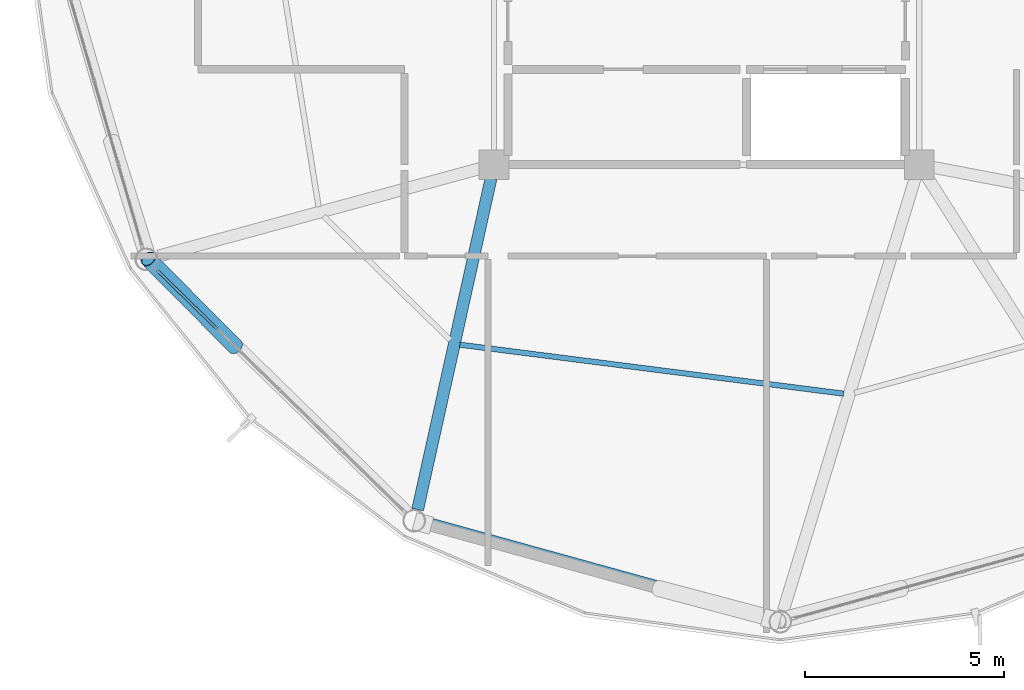
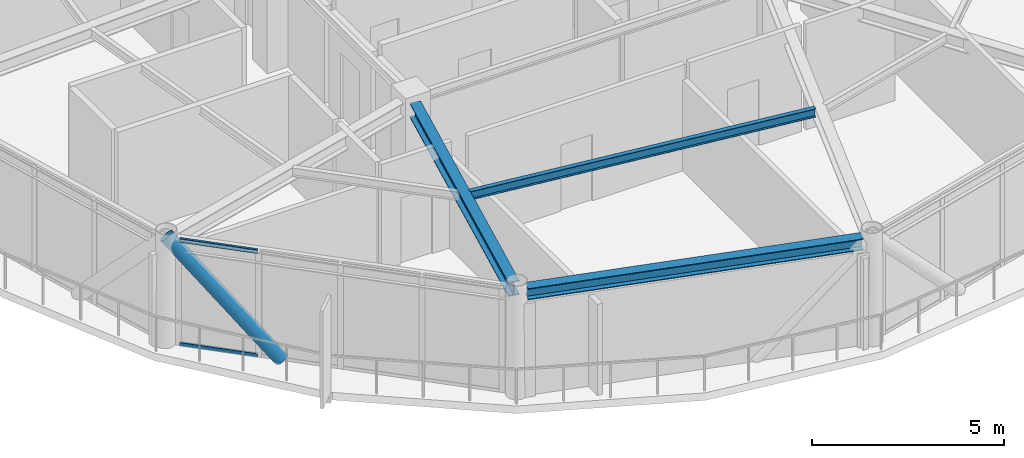
# One storey, part 3 of 27: 3 beams, 3 members, 1 element without a shape of its own.
"""IFC4 building model written with IfcOpenShell, lengths in metres."""

from ifc_helpers import new_model, si_unit, direction, frame, origin, origin_2d, place, context, subcontext, project, spatial, hollow_rectangle, hollow_circle, i_section, extrude, material, layer, layer_set, material_profile, profile_set, type_object, element, aggregate, save


model = new_model("IFC4")

# Units and contexts
model_context = context("Model", 3, precision=1e-05, world=origin(), true_north=direction((0.0, 1.0)))
body_context = subcontext(model_context, "Body", "Model", "MODEL_VIEW")
ifc_project = project(units=[si_unit("LENGTHUNIT", "METRE"), si_unit("AREAUNIT", "SQUARE_METRE"), si_unit("VOLUMEUNIT", "CUBIC_METRE"), si_unit("PLANEANGLEUNIT", "RADIAN"), si_unit("MASSUNIT", "GRAM", prefix="KILO")], contexts=[model_context])

# Site, building, storey
site_placement = place(None, origin())
site = spatial("IfcSite", under=ifc_project, at=site_placement, CompositionType="ELEMENT")
building_placement = place(site_placement, origin())
building = spatial("IfcBuilding", under=site, at=building_placement, Name="Varnakorn Sky Granary", CompositionType="ELEMENT")
storey_placement = place(building_placement, frame((0.0, 0.0, 245.39990234375)))
storey = spatial("IfcBuildingStorey", under=building, at=storey_placement, Name="L62", CompositionType="ELEMENT", Elevation=245.39990234375)

# Beams
ifc_material_1 = material(Name="Steel S355JR", Category="steel")
ifc_material_profile_1 = material_profile(ifc_material_1, i_section(OverallWidth=0.300048828125, OverallDepth=0.449951171875, WebThickness=0.013916015625, FlangeThickness=0.02587890625, at=origin_2d()), Name="HE 450 B")
ifc_profile_set_1 = profile_set([ifc_material_profile_1], Name="Steel S355JR")
beam_type_1 = type_object("IfcBeamType", Name="BM-RAD-Z5", PredefinedType="BEAM", material=ifc_profile_set_1)
beam_1_placement = place(storey_placement, frame((-2.4267578125, -6.946533203125, 3.135009765625), z_axis=(-0.216351740192, -0.976315484111, 0.0), x_axis=(0.976315484111, -0.216351740192, 0.0)))
element("IfcBeam", 1, at=beam_1_placement, inside=storey, type_object=beam_type_1, Name="Radial Floor Girder RG09 L62", PredefinedType="BEAM", context=body_context, shape_type="SweptSolid", body=[
    extrude(i_section(OverallWidth=0.300048828125, OverallDepth=0.449951171875, WebThickness=0.013916015625, FlangeThickness=0.02587890625, at=origin_2d()), origin(), (0.0, 0.0, 1.0), 8.5322265625),
])
ifc_material_profile_2 = material_profile(ifc_material_1, i_section(OverallWidth=0.135009765625, OverallDepth=0.27001953125, WebThickness=0.006591796875, FlangeThickness=0.01025390625, at=origin_2d()), Name="IPE 270")
ifc_profile_set_2 = profile_set([ifc_material_profile_2], Name="Steel S355JR")
beam_type_2 = type_object("IfcBeamType", Name="BM-SEC-Z5", PredefinedType="BEAM", material=ifc_profile_set_2)
beam_2_placement = place(storey_placement, frame((-3.2109375, -11.12939453125, 3.22509765625), z_axis=(0.991954804549, -0.126592518468, 0.0), x_axis=(0.126592518468, 0.991954804549, 0.0)))
element("IfcBeam", 2, at=beam_2_placement, inside=storey, type_object=beam_type_2, Name="Secondary Floor Chord Beam MSB09 L62", PredefinedType="BEAM", context=body_context, shape_type="SweptSolid", body=[
    extrude(i_section(OverallWidth=0.135009765625, OverallDepth=0.27001953125, WebThickness=0.006591796875, FlangeThickness=0.01025390625, at=origin_2d()), origin(), (0.0, 0.0, 1.0), 9.7373046875),
])
ifc_material_profile_3 = material_profile(ifc_material_1, i_section(OverallWidth=0.300048828125, OverallDepth=0.360107421875, WebThickness=0.012451171875, FlangeThickness=0.0224609375, at=origin_2d()), Name="HE 360 B")
ifc_profile_set_3 = profile_set([ifc_material_profile_3], Name="Steel S355JR")
beam_type_3 = type_object("IfcBeamType", Name="BM-SPD-Z5", PredefinedType="SPANDREL", material=ifc_profile_set_3)
beam_3_placement = place(storey_placement, frame((-4.0751953125, -15.605224609375, 3.18017578125), z_axis=(0.963839156231, -0.266484672947, 0.0), x_axis=(0.266484672947, 0.963839156231, 0.0)))
element("IfcBeam", 3, at=beam_3_placement, inside=storey, type_object=beam_type_3, Name="Perimeter Spandrel Ring Beam RB09 L62", PredefinedType="SPANDREL", context=body_context, shape_type="SweptSolid", body=[
    extrude(i_section(OverallWidth=0.300048828125, OverallDepth=0.360107421875, WebThickness=0.012451171875, FlangeThickness=0.0224609375, at=origin_2d()), origin(), (0.0, 0.0, 1.0), 8.99560546875),
])

# Curtain wall, members
ifc_material_2 = material(Name="Anodised Bronze Aluminium Alloy 6063-T6", Category="aluminium")
ifc_layer = layer(ifc_material_2, 0.159912109375, Name="Anodised Bronze Aluminium Alloy 6063-T6")
ifc_layer_set = layer_set([ifc_layer], Name="Anodised Bronze Aluminium Alloy 6063-T6")
curtain_wall_type = type_object("IfcCurtainWallType", Name="CW-OFF-1", PredefinedType="USERDEFINED", material=ifc_layer_set)
curtain_wall_placement = place(storey_placement, origin())
curtain_wall = element("IfcCurtainWall", 4, at=curtain_wall_placement, inside=storey, type_object=curtain_wall_type, Name="Unitised Curtain Wall CW6 CW-L62-B08", ObjectType="CURTAIN WALL", PredefinedType="USERDEFINED")
ifc_material_profile_4 = material_profile(ifc_material_2, hollow_rectangle(XDim=0.06494140625, YDim=0.1201171875, WallThickness=0.00341796875, at=origin_2d()), Name="ALU TRAN 65x120")
ifc_profile_set_4 = profile_set([ifc_material_profile_4], Name="Anodised Bronze Aluminium Alloy 6063-T6")
member_type_1 = type_object("IfcMemberType", Name="CW-OFF-1-TRAN", PredefinedType="USERDEFINED", material=ifc_profile_set_4)
member_1_placement = place(storey_placement, frame((-9.324462890625, -10.725830078125, 0.03271484375), z_axis=(-0.715935858571, 0.698166059338, 0.0), x_axis=(-0.698166059338, -0.715935858571, 0.0)))
member_1 = element("IfcMember", 5, at=member_1_placement, type_object=member_type_1, Name="CW6 transom 4.1", ObjectType="TRANSOM", PredefinedType="USERDEFINED", context=body_context, shape_type="SweptSolid", body=[
    extrude(hollow_rectangle(XDim=0.06494140625, YDim=0.1201171875, WallThickness=0.00341796875, at=origin_2d()), origin(), (0.0, 0.0, 1.0), 2.08837890625),
])
member_2_placement = place(storey_placement, frame((-9.324462890625, -10.725830078125, 3.32763671875), z_axis=(-0.715935858571, 0.698166059338, 0.0), x_axis=(-0.698166059338, -0.715935858571, 0.0)))
member_2 = element("IfcMember", 6, at=member_2_placement, type_object=member_type_1, Name="CW6 transom 4.2", ObjectType="TRANSOM", PredefinedType="USERDEFINED", context=body_context, shape_type="SweptSolid", body=[
    extrude(hollow_rectangle(XDim=0.06494140625, YDim=0.1201171875, WallThickness=0.00341796875, at=origin_2d()), origin(), (0.0, 0.0, 1.0), 2.08837890625),
])
aggregate(curtain_wall, [member_1, member_2])

# Member
ifc_material_3 = material(Name="Steel S460M", Category="steel")
ifc_material_profile_5 = material_profile(ifc_material_3, hollow_circle(Radius=0.203125, WallThickness=0.01611328125, at=origin_2d()), Name="CHS 406.4x16")
ifc_profile_set_5 = profile_set([ifc_material_profile_5], Name="Steel S460M")
member_type_2 = type_object("IfcMemberType", Name="MB-DIAG-T4", PredefinedType="BRACE", material=ifc_profile_set_5)
member_3_placement = place(storey_placement, frame((-8.860595703125, -11.177978515625, 0.0), z_axis=(-0.478233139348, 0.482445472719, 0.733852458116), x_axis=(-0.710200438918, -0.703999528808, 0.0)))
element("IfcMember", 7, at=member_3_placement, inside=storey, type_object=member_type_2, Name="Perimeter CHS Diagrid Brace DG08 L62", PredefinedType="BRACE", context=body_context, shape_type="SweptSolid", body=[
    extrude(hollow_circle(Radius=0.203125, WallThickness=0.01611328125, at=origin_2d()), origin(), (0.0, 0.0, 1.0), 4.57861328125),
])

save(model, "model.ifc")
